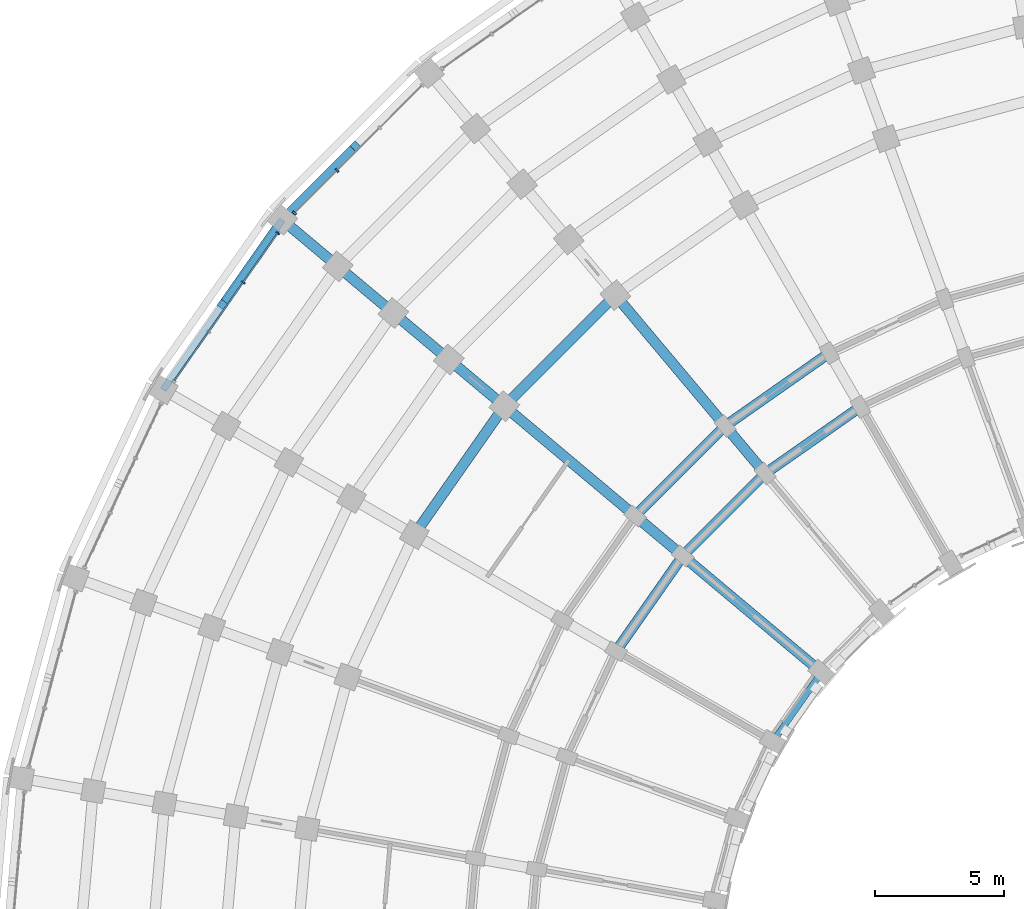
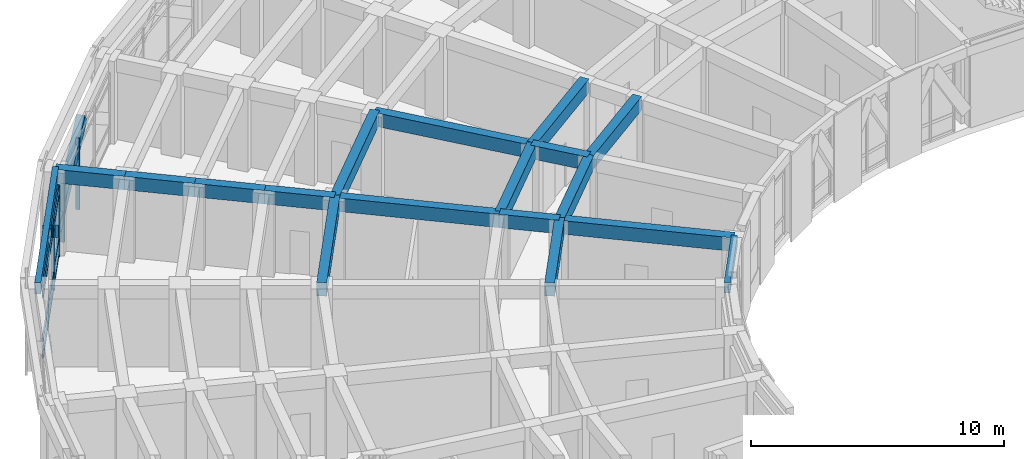
# One storey, part 22 of 97: 20 beams, 8 members, 2 elements without a shape of their own.
"""IFC4 building model written with IfcOpenShell, lengths in metres."""

from ifc_helpers import new_model, si_unit, direction, frame, origin, origin_2d, place, context, subcontext, project, spatial, rectangle, extrude, material, material_profile, profile_set, type_object, element, aggregate, save


model = new_model("IFC4")

# Units and contexts
model_context = context("Model", 3, precision=1e-05, world=origin(), true_north=direction((0.0, 1.0)))
body_context = subcontext(model_context, "Body", "Model", "MODEL_VIEW")
ifc_project = project(units=[si_unit("LENGTHUNIT", "METRE"), si_unit("AREAUNIT", "SQUARE_METRE"), si_unit("VOLUMEUNIT", "CUBIC_METRE"), si_unit("PLANEANGLEUNIT", "RADIAN"), si_unit("MASSUNIT", "GRAM", prefix="KILO")], contexts=[model_context])

# Site, building, storey
site_placement = place(None, origin())
site = spatial("IfcSite", under=ifc_project, at=site_placement, CompositionType="ELEMENT")
building_placement = place(site_placement, origin())
building = spatial("IfcBuilding", under=site, at=building_placement, Name="Kiranvali Square Residences", CompositionType="ELEMENT")
storey_placement = place(building_placement, frame((0.0, 0.0, 4.5)))
storey = spatial("IfcBuildingStorey", under=building, at=storey_placement, Name="L01", CompositionType="ELEMENT", Elevation=4.5)

# Beams
ifc_material_1 = material(Name="Concrete M40 (40 MPa)", Category="concrete")
ifc_material_profile_1 = material_profile(ifc_material_1, rectangle(XDim=0.35009765625, YDim=0.5, at=origin_2d()), Name="RC 350x500")
ifc_profile_set_1 = profile_set([ifc_material_profile_1], Name="Concrete M40 (40 MPa)")
beam_type_1 = type_object("IfcBeamType", Name="AR-M40-350x500", PredefinedType="USERDEFINED", material=ifc_profile_set_1)
beam_1_placement = place(storey_placement, frame((15.796875, 120.203125, 3.64990234375), z_axis=(-0.581233735807, -0.581233735807, -0.569503897019), x_axis=(0.707106781187, -0.707106781187, 0.0)))
element("IfcBeam", 1, at=beam_1_placement, inside=storey, type_object=beam_type_1, Name="Classical pointed Ottoman arch rib ARCH-A-CRV-7-04.2", ObjectType="ARCH RIB", PredefinedType="USERDEFINED", context=body_context, shape_type="SweptSolid", body=[
    extrude(rectangle(XDim=0.35009765625, YDim=0.5, at=origin_2d()), origin(), (0.0, 0.0, 1.0), 4.828857421875),
])
beam_2_placement = place(storey_placement, frame((12.93896484375, 117.33544921875, 0.89990234375), z_axis=(-0.471479533574, -0.67331827867, 0.569516940072), x_axis=(0.819142327352, -0.573590313325, 0.0)))
element("IfcBeam", 2, at=beam_2_placement, inside=storey, type_object=beam_type_1, Name="Classical pointed Ottoman arch rib ARCH-A-CRV-7-05.1", ObjectType="ARCH RIB", PredefinedType="USERDEFINED", context=body_context, shape_type="SweptSolid", body=[
    extrude(rectangle(XDim=0.35009765625, YDim=0.5, at=origin_2d()), origin(), (0.0, 0.0, 1.0), 4.82861328125),
])
ifc_material_2 = material(Name="Concrete M45 (45 MPa)", Category="concrete")
ifc_material_profile_2 = material_profile(ifc_material_2, rectangle(XDim=0.39990234375, YDim=0.64990234375, at=origin_2d()), Name="RC 400x650")
ifc_profile_set_2 = profile_set([ifc_material_profile_2], Name="Concrete M45 (45 MPa)")
beam_type_2 = type_object("IfcBeamType", Name="BM-M45-400x650", PredefinedType="BEAM", material=ifc_profile_set_2)
beam_3_placement = place(storey_placement, frame((35.300048828125, 110.1435546875, 3.655029296875), z_axis=(-0.819155404658, -0.573571637217, 0.0), x_axis=(0.573571637217, -0.819155404658, 0.0)))
element("IfcBeam", 3, at=beam_3_placement, inside=storey, type_object=beam_type_2, Name="L01 beam BM-A-L01-C03-R1", PredefinedType="BEAM", context=body_context, shape_type="SweptSolid", body=[
    extrude(rectangle(XDim=0.39990234375, YDim=0.64990234375, at=origin_2d()), origin(), (0.0, 0.0, 1.0), 4.497314453125),
])
beam_4_placement = place(storey_placement, frame((34.10009765625, 112.221923828125, 3.655029296875), z_axis=(-0.819140911474, -0.573592335331, 0.0), x_axis=(0.573592335331, -0.819140911474, 0.0)))
element("IfcBeam", 4, at=beam_4_placement, inside=storey, type_object=beam_type_2, Name="L01 beam BM-A-L01-C03-R2", PredefinedType="BEAM", context=body_context, shape_type="SweptSolid", body=[
    extrude(rectangle(XDim=0.39990234375, YDim=0.64990234375, at=origin_2d()), origin(), (0.0, 0.0, 1.0), 4.915771484375),
])
beam_5_placement = place(storey_placement, frame((31.615966796875, 107.56396484375, 3.655029296875), z_axis=(-0.707106781187, -0.707106781187, 0.0), x_axis=(0.707106781187, -0.707106781187, 0.0)))
element("IfcBeam", 5, at=beam_5_placement, inside=storey, type_object=beam_type_2, Name="L01 beam BM-A-L01-C04-R1", PredefinedType="BEAM", context=body_context, shape_type="SweptSolid", body=[
    extrude(rectangle(XDim=0.39990234375, YDim=0.64990234375, at=origin_2d()), origin(), (0.0, 0.0, 1.0), 4.4970703125),
])
beam_6_placement = place(storey_placement, frame((30.073486328125, 109.40234375, 3.655029296875), z_axis=(-0.707106781187, -0.707106781187, 0.0), x_axis=(0.707106781187, -0.707106781187, 0.0)))
element("IfcBeam", 6, at=beam_6_placement, inside=storey, type_object=beam_type_2, Name="L01 beam BM-A-L01-C04-R2", PredefinedType="BEAM", context=body_context, shape_type="SweptSolid", body=[
    extrude(rectangle(XDim=0.39990234375, YDim=0.64990234375, at=origin_2d()), origin(), (0.0, 0.0, 1.0), 4.91552734375),
])
beam_7_placement = place(storey_placement, frame((25.8310546875, 114.458251953125, 3.655029296875), z_axis=(-0.707106781187, -0.707106781187, 0.0), x_axis=(0.707106781187, -0.707106781187, 0.0)))
element("IfcBeam", 7, at=beam_7_placement, inside=storey, type_object=beam_type_2, Name="L01 beam BM-A-L01-C04-R3", PredefinedType="BEAM", context=body_context, shape_type="SweptSolid", body=[
    extrude(rectangle(XDim=0.39990234375, YDim=0.64990234375, at=origin_2d()), origin(), (0.0, 0.0, 1.0), 6.06591796875),
])
beam_8_placement = place(storey_placement, frame((28.43603515625, 104.384033203125, 3.655029296875), z_axis=(-0.573571637217, -0.819155404658, 0.0), x_axis=(0.819155404658, -0.573571637217, 0.0)))
element("IfcBeam", 8, at=beam_8_placement, inside=storey, type_object=beam_type_2, Name="L01 beam BM-A-L01-C05-R1", PredefinedType="BEAM", context=body_context, shape_type="SweptSolid", body=[
    extrude(rectangle(XDim=0.39990234375, YDim=0.64990234375, at=origin_2d()), origin(), (0.0, 0.0, 1.0), 4.497314453125),
])
beam_9_placement = place(storey_placement, frame((21.541748046875, 110.1689453125, 3.655029296875), z_axis=(-0.573594691504, -0.81913926159, 0.0), x_axis=(0.81913926159, -0.573594691504, 0.0)))
element("IfcBeam", 9, at=beam_9_placement, inside=storey, type_object=beam_type_2, Name="L01 beam BM-A-L01-C05-R3", PredefinedType="BEAM", context=body_context, shape_type="SweptSolid", body=[
    extrude(rectangle(XDim=0.39990234375, YDim=0.64990234375, at=origin_2d()), origin(), (0.0, 0.0, 1.0), 6.066162109375),
])
beam_10_placement = place(storey_placement, frame((31.615966796875, 107.56396484375, 3.655029296875), z_axis=(-0.642762521781, 0.766065493671, 0.0), x_axis=(-0.766065493671, -0.642762521781, 0.0)))
element("IfcBeam", 10, at=beam_10_placement, inside=storey, type_object=beam_type_2, Name="L01 beam BM-A-L01-RAD04-12", PredefinedType="BEAM", context=body_context, shape_type="SweptSolid", body=[
    extrude(rectangle(XDim=0.39990234375, YDim=0.64990234375, at=origin_2d()), origin(), (0.0, 0.0, 1.0), 2.399658203125),
])
beam_11_placement = place(storey_placement, frame((30.073486328125, 109.40234375, 3.655029296875), z_axis=(-0.642789470807, 0.766042881449, 0.0), x_axis=(-0.766042881449, -0.642789470807, 0.0)))
element("IfcBeam", 11, at=beam_11_placement, inside=storey, type_object=beam_type_2, Name="L01 beam BM-A-L01-RAD04-23", PredefinedType="BEAM", context=body_context, shape_type="SweptSolid", body=[
    extrude(rectangle(XDim=0.39990234375, YDim=0.64990234375, at=origin_2d()), origin(), (0.0, 0.0, 1.0), 6.60009765625),
])
beam_12_placement = place(storey_placement, frame((33.79833984375, 99.884521484375, 3.655029296875), z_axis=(-0.766044173478, 0.642787931032, 0.0), x_axis=(-0.642787931032, -0.766044173478, 0.0)))
element("IfcBeam", 12, at=beam_12_placement, inside=storey, type_object=beam_type_2, Name="L01 beam BM-A-L01-RAD05-01", PredefinedType="BEAM", context=body_context, shape_type="SweptSolid", body=[
    extrude(rectangle(XDim=0.39990234375, YDim=0.64990234375, at=origin_2d()), origin(), (0.0, 0.0, 1.0), 7.0),
])
beam_13_placement = place(storey_placement, frame((28.43603515625, 104.384033203125, 3.655029296875), z_axis=(-0.766065493671, 0.642762521781, 0.0), x_axis=(-0.642762521781, -0.766065493671, 0.0)))
element("IfcBeam", 13, at=beam_13_placement, inside=storey, type_object=beam_type_2, Name="L01 beam BM-A-L01-RAD05-12", PredefinedType="BEAM", context=body_context, shape_type="SweptSolid", body=[
    extrude(rectangle(XDim=0.39990234375, YDim=0.64990234375, at=origin_2d()), origin(), (0.0, 0.0, 1.0), 2.399658203125),
])
beam_14_placement = place(storey_placement, frame((26.59765625, 105.926513671875, 3.655029296875), z_axis=(-0.766042881449, 0.642789470807, 0.0), x_axis=(-0.642789470807, -0.766042881449, 0.0)))
element("IfcBeam", 14, at=beam_14_placement, inside=storey, type_object=beam_type_2, Name="L01 beam BM-A-L01-RAD05-23", PredefinedType="BEAM", context=body_context, shape_type="SweptSolid", body=[
    extrude(rectangle(XDim=0.39990234375, YDim=0.64990234375, at=origin_2d()), origin(), (0.0, 0.0, 1.0), 6.60009765625),
])
for number, where, z_axis, x_axis, name in (
    (15, (21.541748046875, 110.1689453125, 3.655029296875), (-0.766058583359, 0.642770757628, 0.0), (-0.642770757628, -0.766058583359, 0.0), "L01 beam BM-A-L01-RAD05-34"),
    (16, (19.396728515625, 111.96875, 3.655029296875), (-0.766058583359, 0.642770757628, 0.0), (-0.642770757628, -0.766058583359, 0.0), "L01 beam BM-A-L01-RAD05-45"),
):
    element("IfcBeam", number, at=place(storey_placement, frame(where, z_axis=z_axis, x_axis=x_axis)), inside=storey, type_object=beam_type_2, Name=name, PredefinedType="BEAM", context=body_context, shape_type="SweptSolid", body=[
        extrude(rectangle(XDim=0.39990234375, YDim=0.64990234375, at=origin_2d()), origin(), (0.0, 0.0, 1.0), 2.800048828125),
    ])
beam_15_placement = place(storey_placement, frame((17.251708984375, 113.7685546875, 3.655029296875), z_axis=(-0.76602255649, 0.642813692253, 0.0), x_axis=(-0.642813692253, -0.76602255649, 0.0)))
element("IfcBeam", 17, at=beam_15_placement, inside=storey, type_object=beam_type_2, Name="L01 beam BM-A-L01-RAD05-56", PredefinedType="BEAM", context=body_context, shape_type="SweptSolid", body=[
    extrude(rectangle(XDim=0.39990234375, YDim=0.64990234375, at=origin_2d()), origin(), (0.0, 0.0, 1.0), 2.7998046875),
])
beam_16_placement = place(storey_placement, frame((15.10693359375, 115.568359375, 3.655029296875), z_axis=(-0.766058583359, 0.642770757628, 0.0), x_axis=(-0.642770757628, -0.766058583359, 0.0)))
element("IfcBeam", 18, at=beam_16_placement, inside=storey, type_object=beam_type_2, Name="L01 beam BM-A-L01-RAD05-67", PredefinedType="BEAM", context=body_context, shape_type="SweptSolid", body=[
    extrude(rectangle(XDim=0.39990234375, YDim=0.64990234375, at=origin_2d()), origin(), (0.0, 0.0, 1.0), 2.800048828125),
])

# Curtain wall, members
ifc_material_3 = material(Name="Anodised bronze aluminium framing", Category="aluminium")
curtain_wall_type = type_object("IfcCurtainWallType", Name="CW-RET-SHOP", PredefinedType="USERDEFINED", material=ifc_material_3)
curtain_wall_1_placement = place(storey_placement, origin())
curtain_wall_1 = element("IfcCurtainWall", 19, at=curtain_wall_1_placement, inside=storey, type_object=curtain_wall_type, Name="Block A L01 rounded-corner arcade curtain wall 5", ObjectType="CURTAIN WALL", PredefinedType="USERDEFINED")
ifc_material_profile_3 = material_profile(ifc_material_3, rectangle(XDim=0.06494140625, YDim=0.159912109375, at=origin_2d()), Name="ALU 65x160")
ifc_profile_set_3 = profile_set([ifc_material_profile_3], Name="Anodised bronze aluminium framing")
member_type_1 = type_object("IfcMemberType", Name="CW-MUL-160", PredefinedType="MULLION", material=ifc_profile_set_3)
member_1_placement = place(storey_placement, frame((15.08056640625, 119.274658203125, 0.02001953125), z_axis=(0.0, 0.0, 1.0), x_axis=(-0.707106781187, -0.707106781187, 0.0)))
member_1 = element("IfcMember", 20, at=member_1_placement, type_object=member_type_1, Name="CW-A-L01-CRV-04 vertical mullion 3", PredefinedType="MULLION", context=body_context, shape_type="SweptSolid", body=[
    extrude(rectangle(XDim=0.06494140625, YDim=0.159912109375, at=origin_2d()), origin(), (0.0, 0.0, 1.0), 3.43994140625),
])
member_2_placement = place(storey_placement, frame((13.435791015625, 117.6298828125, 0.02001953125), z_axis=(0.0, 0.0, 1.0), x_axis=(-0.707106781187, -0.707106781187, 0.0)))
member_2 = element("IfcMember", 21, at=member_2_placement, type_object=member_type_1, Name="CW-A-L01-CRV-04 vertical mullion 4", PredefinedType="MULLION", context=body_context, shape_type="SweptSolid", body=[
    extrude(rectangle(XDim=0.06494140625, YDim=0.159912109375, at=origin_2d()), origin(), (0.0, 0.0, 1.0), 3.43994140625),
])
aggregate(curtain_wall_1, [member_1, member_2])

curtain_wall_2_placement = place(storey_placement, origin())
curtain_wall_2 = element("IfcCurtainWall", 22, at=curtain_wall_2_placement, inside=storey, type_object=curtain_wall_type, Name="Block A L01 rounded-corner arcade curtain wall 6", ObjectType="CURTAIN WALL", PredefinedType="USERDEFINED")
member_3_placement = place(storey_placement, frame((12.78662109375, 116.856201171875, 0.02001953125), z_axis=(0.0, 0.0, 1.0), x_axis=(-0.573576436351, -0.819152044289, 0.0)))
member_3 = element("IfcMember", 23, at=member_3_placement, type_object=member_type_1, Name="CW-A-L01-CRV-05 vertical mullion 1", PredefinedType="MULLION", context=body_context, shape_type="SweptSolid", body=[
    extrude(rectangle(XDim=0.06494140625, YDim=0.159912109375, at=origin_2d()), origin(), (0.0, 0.0, 1.0), 3.43994140625),
])
member_4_placement = place(storey_placement, frame((11.452392578125, 114.95068359375, 0.02001953125), z_axis=(0.0, 0.0, 1.0), x_axis=(-0.573576436351, -0.819152044289, 0.0)))
member_4 = element("IfcMember", 24, at=member_4_placement, type_object=member_type_1, Name="CW-A-L01-CRV-05 vertical mullion 2", PredefinedType="MULLION", context=body_context, shape_type="SweptSolid", body=[
    extrude(rectangle(XDim=0.06494140625, YDim=0.159912109375, at=origin_2d()), origin(), (0.0, 0.0, 1.0), 3.43994140625),
])
ifc_material_profile_4 = material_profile(ifc_material_3, rectangle(XDim=0.06494140625, YDim=0.139892578125, at=origin_2d()), Name="ALU 65x140")
ifc_profile_set_4 = profile_set([ifc_material_profile_4], Name="Anodised bronze aluminium framing")
member_type_2 = type_object("IfcMemberType", Name="CW-TRN-140", PredefinedType="MULLION", material=ifc_profile_set_4)
member_5_placement = place(storey_placement, frame((12.78076171875, 116.84814453125, 0.0400390625), z_axis=(-0.573558887104, -0.819164332124, 0.0), x_axis=(0.819164332124, -0.573558887104, 0.0)))
member_5 = element("IfcMember", 25, at=member_5_placement, type_object=member_type_2, Name="CW-A-L01-CRV-05 horizontal transom 1", PredefinedType="MULLION", context=body_context, shape_type="SweptSolid", body=[
    extrude(rectangle(XDim=0.06494140625, YDim=0.139892578125, at=origin_2d()), origin(), (0.0, 0.0, 1.0), 6.958251953125),
])
member_6_placement = place(storey_placement, frame((12.78076171875, 116.84814453125, 0.85009765625), z_axis=(-0.573558887104, -0.819164332124, 0.0), x_axis=(0.819164332124, -0.573558887104, 0.0)))
member_6 = element("IfcMember", 26, at=member_6_placement, type_object=member_type_2, Name="CW-A-L01-CRV-05 horizontal transom 2", PredefinedType="MULLION", context=body_context, shape_type="SweptSolid", body=[
    extrude(rectangle(XDim=0.06494140625, YDim=0.139892578125, at=origin_2d()), origin(), (0.0, 0.0, 1.0), 6.958251953125),
])
member_7_placement = place(storey_placement, frame((12.78076171875, 116.84814453125, 2.929931640625), z_axis=(-0.573558887104, -0.819164332124, 0.0), x_axis=(0.819164332124, -0.573558887104, 0.0)))
member_7 = element("IfcMember", 27, at=member_7_placement, type_object=member_type_2, Name="CW-A-L01-CRV-05 horizontal transom 3", PredefinedType="MULLION", context=body_context, shape_type="SweptSolid", body=[
    extrude(rectangle(XDim=0.06494140625, YDim=0.139892578125, at=origin_2d()), origin(), (0.0, 0.0, 1.0), 6.958251953125),
])
member_8_placement = place(storey_placement, frame((12.78076171875, 116.84814453125, 3.43994140625), z_axis=(-0.573558887104, -0.819164332124, 0.0), x_axis=(0.819164332124, -0.573558887104, 0.0)))
member_8 = element("IfcMember", 28, at=member_8_placement, type_object=member_type_2, Name="CW-A-L01-CRV-05 horizontal transom 4", PredefinedType="MULLION", context=body_context, shape_type="SweptSolid", body=[
    extrude(rectangle(XDim=0.06494140625, YDim=0.139892578125, at=origin_2d()), origin(), (0.0, 0.0, 1.0), 6.958251953125),
])
aggregate(curtain_wall_2, [member_3, member_4, member_5, member_6, member_7, member_8])

# Beams
ifc_material_profile_5 = material_profile(ifc_material_1, rectangle(XDim=0.25, YDim=0.5, at=origin_2d()), Name="RC 250x500")
ifc_profile_set_5 = profile_set([ifc_material_profile_5], Name="Concrete M40 (40 MPa)")
beam_type_3 = type_object("IfcBeamType", Name="SPN-M40-250x500", PredefinedType="SPANDREL", material=ifc_profile_set_5)
beam_17_placement = place(storey_placement, frame((33.79833984375, 99.884521484375, 3.72998046875), z_axis=(-0.573552337269, -0.81916891812, 0.0), x_axis=(0.81916891812, -0.573552337269, 0.0)))
element("IfcBeam", 29, at=beam_17_placement, inside=storey, type_object=beam_type_3, Name="L01 beam BM-A-L01-C05-R0", PredefinedType="SPANDREL", context=body_context, shape_type="SweptSolid", body=[
    extrude(rectangle(XDim=0.25, YDim=0.5, at=origin_2d()), origin(), (0.0, 0.0, 1.0), 3.277099609375),
])
ifc_material_profile_6 = material_profile(ifc_material_1, rectangle(XDim=0.25, YDim=0.550048828125, at=origin_2d()), Name="RC 250x550")
ifc_profile_set_6 = profile_set([ifc_material_profile_6], Name="Concrete M40 (40 MPa)")
beam_type_4 = type_object("IfcBeamType", Name="SPN-M40-250x550", PredefinedType="SPANDREL", material=ifc_profile_set_6)
beam_18_placement = place(storey_placement, frame((12.9619140625, 117.3681640625, 3.705078125), z_axis=(-0.573582904791, -0.819147515001, 0.0), x_axis=(0.819147515001, -0.573582904791, 0.0)))
element("IfcBeam", 30, at=beam_18_placement, inside=storey, type_object=beam_type_4, Name="L01 beam BM-A-L01-C05-R7", PredefinedType="SPANDREL", context=body_context, shape_type="SweptSolid", body=[
    extrude(rectangle(XDim=0.25, YDim=0.550048828125, at=origin_2d()), origin(), (0.0, 0.0, 1.0), 8.018310546875),
])

save(model, "model.ifc")
